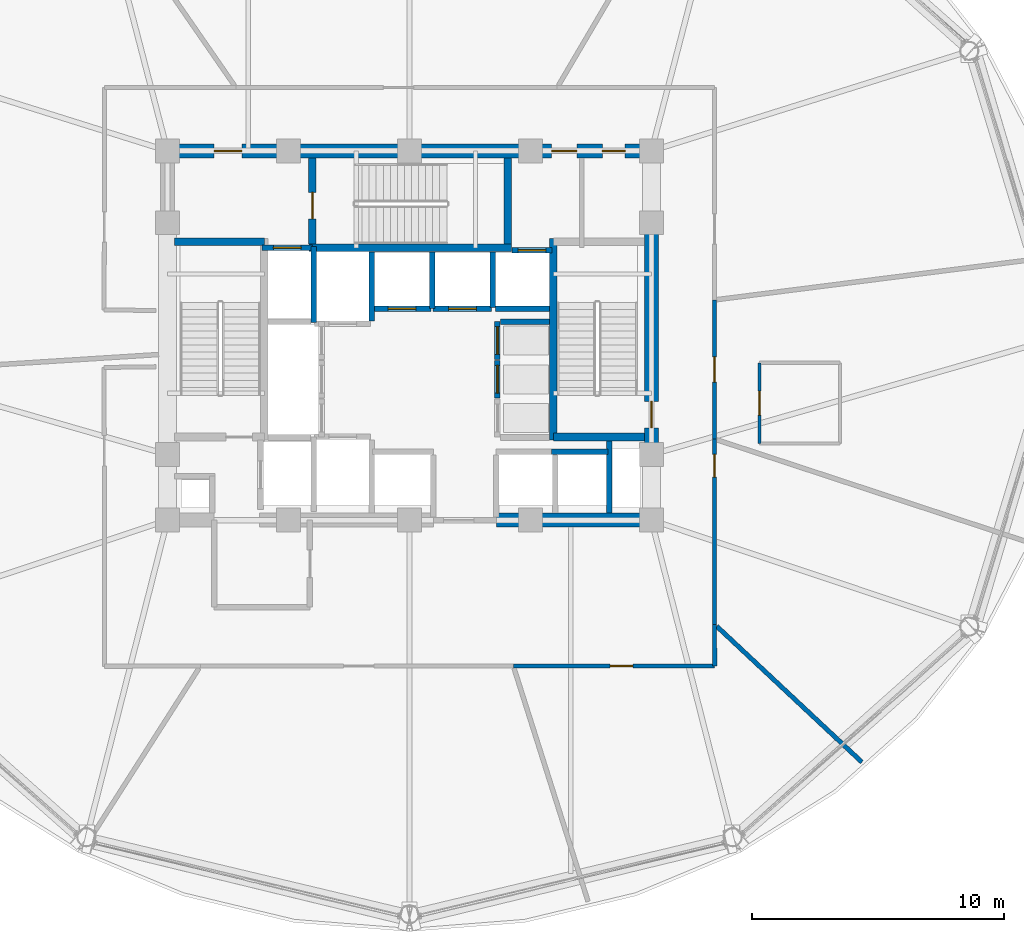
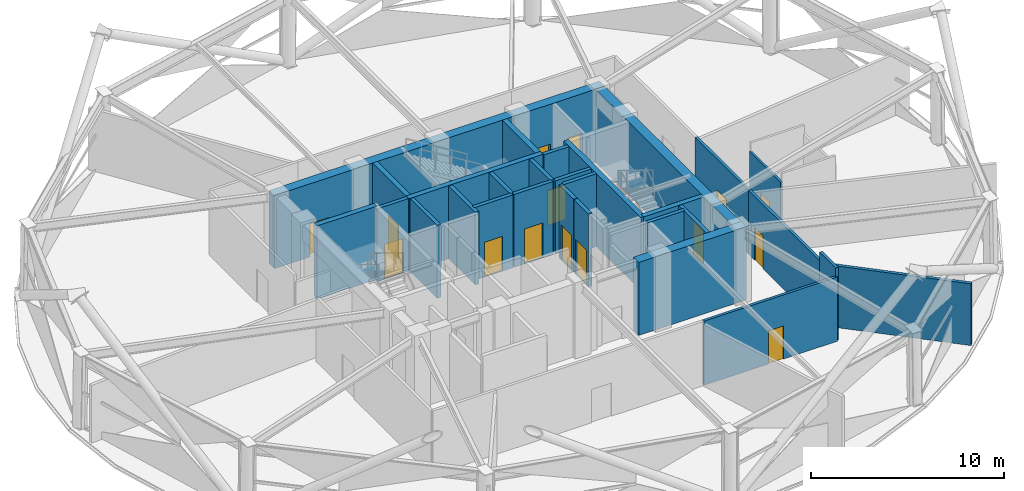
# One storey, part 11 of 17: 29 walls, 15 doors, 15 openings.
"""IFC4 building model written with IfcOpenShell, lengths in metres."""

from ifc_helpers import new_model, si_unit, direction, frame, frame_2d, origin, place, context, subcontext, project, spatial, rectangle, extrude, material, layer, layer_set, type_object, element, fill, save


model = new_model("IFC4")

# Units and contexts
model_context = context("Model", 3, precision=1e-05, world=origin(), true_north=direction((0.0, 1.0)))
body_context = subcontext(model_context, "Body", "Model", "MODEL_VIEW")
ifc_project = project(units=[si_unit("LENGTHUNIT", "METRE"), si_unit("AREAUNIT", "SQUARE_METRE"), si_unit("VOLUMEUNIT", "CUBIC_METRE"), si_unit("PLANEANGLEUNIT", "RADIAN"), si_unit("MASSUNIT", "GRAM", prefix="KILO")], contexts=[model_context])

# Site, building, storey
site_placement = place(None, origin())
site = spatial("IfcSite", under=ifc_project, at=site_placement, CompositionType="ELEMENT")
building_placement = place(site_placement, origin())
building = spatial("IfcBuilding", under=site, at=building_placement, Name="Vantalir Tower", CompositionType="ELEMENT")
storey_placement = place(building_placement, frame((0.0, 0.0, 96.14990234375)))
storey = spatial("IfcBuildingStorey", under=building, at=storey_placement, Name="L23", CompositionType="ELEMENT", Elevation=96.14990234375)

# Wall, opening, door
ifc_material_1 = material(Name="Moisture-resistant en-suite partition", Category="gypsum")
ifc_layer_1 = layer(ifc_material_1, 0.125)
ifc_layer_set_1 = layer_set([ifc_layer_1], Name="Moisture-resistant en-suite partition")
wall_type_1 = type_object("IfcWallType", Name="WL-BATH-125", PredefinedType="PARTITIONING", material=ifc_layer_set_1)
wall_1_placement = place(storey_placement, frame((45.383056640625, 20.843017578125, 0.0), z_axis=(0.0, 0.0, 1.0), x_axis=(0.0, 1.0, 0.0)))
wall_1 = element("IfcWall", 1, at=wall_1_placement, inside=storey, type_object=wall_type_1, Name="L23 Accessible WC West Wall", PredefinedType="PARTITIONING", context=body_context, shape_type="SweptSolid", body=[
    extrude(rectangle(XDim=3.199951171875, YDim=0.125, at=frame_2d((1.60009765625, 0.0))), origin(), (0.0, 0.0, 1.0), 4.05615234375),
])
opening_1_placement = place(wall_1_placement, frame((1.125, 0.0, 0.0)))
opening_1 = element("IfcOpeningElement", 2, at=opening_1_placement, cuts=wall_1, Name="Opening D-AWC", PredefinedType="OPENING", context=body_context, shape_type="SweptSolid", body=[
    extrude(rectangle(XDim=0.949951171875, YDim=2.10009765625, at=frame_2d((0.47509765625, 1.050048828125))), frame((0.0, 0.072509765625, 0.0), z_axis=(0.0, -1.0, 0.0), x_axis=(1.0, 0.0, 0.0)), (0.0, 0.0, 1.0), 0.14501953125),
])
ifc_material_2 = material(Name="Accessible toilet outward-opening hardwood door", Category="wood")
door_type_1 = type_object("IfcDoorType", Name="DR-ACC-WC-950", OperationType="NOTDEFINED", PredefinedType="DOOR", material=ifc_material_2)
door_1_placement = place(opening_1_placement, origin())
door_1 = element("IfcDoor", 3, at=door_1_placement, inside=storey, type_object=door_type_1, Name="L23 Accessible WC Door", OperationType="SINGLE_SWING_RIGHT", OverallHeight=2.10009765625, OverallWidth=0.949951171875, PredefinedType="DOOR", context=body_context, shape_type="SweptSolid", body=[
    extrude(rectangle(XDim=0.949951171875, YDim=2.10009765625, at=frame_2d((0.47509765625, 1.050048828125))), frame((0.0, 0.02490234375, 0.0), z_axis=(0.0, -1.0, 0.0), x_axis=(1.0, 0.0, 0.0)), (0.0, 0.0, 1.0), 0.050048828125),
])
fill(opening_1, door_1)

# Wall
ifc_material_3 = material(Name="Concrete C60/75", Category="concrete")
ifc_layer_2 = layer(ifc_material_3, 0.550048828125)
ifc_layer_set_2 = layer_set([ifc_layer_2], Name="Concrete C60/75")
wall_type_2 = type_object("IfcWallType", Name="WL-CORE-550", PredefinedType="SHEAR", material=ifc_layer_set_2)
wall_2_placement = place(storey_placement, frame((34.949951171875, 17.800048828125, 0.0), z_axis=(0.0, 0.0, 1.0), x_axis=(1.0, 0.0, 0.0)))
element("IfcWall", 4, at=wall_2_placement, inside=storey, type_object=wall_type_2, Name="L23 Core Shear Wall South-East", PredefinedType="SHEAR", context=body_context, shape_type="SweptSolid", body=[
    extrude(rectangle(XDim=6.425048828125, YDim=0.550048828125, at=frame_2d((3.21240234375, 0.0))), origin(), (0.0, 0.0, 1.0), 4.6201171875),
])

# Wall, openings, doors
wall_3_placement = place(storey_placement, frame((21.625, 32.449951171875, 0.0), z_axis=(0.0, 0.0, 1.0), x_axis=(1.0, 0.0, 0.0)))
wall_3 = element("IfcWall", 5, at=wall_3_placement, inside=storey, type_object=wall_type_2, Name="L23 Core Shear Wall North", PredefinedType="SHEAR", context=body_context, shape_type="SweptSolid", body=[
    extrude(rectangle(XDim=19.75, YDim=0.550048828125, at=frame_2d((9.875, 0.0))), origin(), (0.0, 0.0, 1.0), 4.6201171875),
])
opening_2_placement = place(wall_3_placement, frame((2.125, 0.0, 0.0)))
opening_2 = element("IfcOpeningElement", 6, at=opening_2_placement, cuts=wall_3, Name="Opening D-FFL", PredefinedType="OPENING", context=body_context, shape_type="SweptSolid", body=[
    extrude(rectangle(XDim=1.10009765625, YDim=2.10009765625, at=frame_2d((0.550048828125, 1.050048828125))), frame((0.0, 0.284912109375, 0.0), z_axis=(0.0, -1.0, 0.0), x_axis=(1.0, 0.0, 0.0)), (0.0, 0.0, 1.0), 0.570068359375),
])
opening_3_placement = place(wall_3_placement, frame((15.514892578125, 0.0, 0.0)))
opening_3 = element("IfcOpeningElement", 7, at=opening_3_placement, cuts=wall_3, Name="Opening D-GUEST", PredefinedType="OPENING", context=body_context, shape_type="SweptSolid", body=[
    extrude(rectangle(XDim=1.0, YDim=2.10009765625, at=frame_2d((0.5, 1.050048828125))), frame((0.0, 0.284912109375, 0.0), z_axis=(0.0, -1.0, 0.0), x_axis=(1.0, 0.0, 0.0)), (0.0, 0.0, 1.0), 0.570068359375),
])
opening_4_placement = place(wall_3_placement, frame((17.52490234375, 0.0, 0.0)))
opening_4 = element("IfcOpeningElement", 8, at=opening_4_placement, cuts=wall_3, Name="Opening D-CR", PredefinedType="OPENING", context=body_context, shape_type="SweptSolid", body=[
    extrude(rectangle(XDim=0.89990234375, YDim=2.10009765625, at=frame_2d((0.449951171875, 1.050048828125))), frame((0.0, 0.284912109375, 0.0), z_axis=(0.0, -1.0, 0.0), x_axis=(1.0, 0.0, 0.0)), (0.0, 0.0, 1.0), 0.570068359375),
])
ifc_material_4 = material(Name="Fire-rated steel core service door", Category="steel")
door_type_2 = type_object("IfcDoorType", Name="DR-CORE-SERV-900", OperationType="NOTDEFINED", PredefinedType="DOOR", material=ifc_material_4)
door_2_placement = place(opening_4_placement, frame((0.89990234375, 0.0, 0.0), z_axis=(0.0, 0.0, 1.0), x_axis=(-1.0, 0.0, 0.0)))
door_2 = element("IfcDoor", 9, at=door_2_placement, inside=storey, type_object=door_type_2, Name="L23 Housekeeping and Linen Room Door", OperationType="SINGLE_SWING_RIGHT", OverallHeight=2.10009765625, OverallWidth=0.89990234375, PredefinedType="DOOR", context=body_context, shape_type="SweptSolid", body=[
    extrude(rectangle(XDim=0.89990234375, YDim=2.10009765625, at=frame_2d((0.449951171875, 1.050048828125))), frame((0.0, 0.02490234375, 0.0), z_axis=(0.0, -1.0, 0.0), x_axis=(1.0, 0.0, 0.0)), (0.0, 0.0, 1.0), 0.050048828125),
])
fill(opening_4, door_2)
ifc_material_5 = material(Name="Fire-rated acoustic steel door", Category="steel")
door_type_3 = type_object("IfcDoorType", Name="DR-FIRE-LOBBY-1100", OperationType="NOTDEFINED", PredefinedType="DOOR", material=ifc_material_5)
door_3_placement = place(opening_2_placement, frame((1.10009765625, 0.0, 0.0), z_axis=(0.0, 0.0, 1.0), x_axis=(-1.0, 0.0, 0.0)))
door_3 = element("IfcDoor", 10, at=door_3_placement, inside=storey, type_object=door_type_3, Name="L23 Firefighting Lobby East Access Door", OperationType="SINGLE_SWING_LEFT", OverallHeight=2.10009765625, OverallWidth=1.10009765625, PredefinedType="DOOR", context=body_context, shape_type="SweptSolid", body=[
    extrude(rectangle(XDim=1.10009765625, YDim=2.10009765625, at=frame_2d((0.550048828125, 1.050048828125))), frame((0.0, 0.02490234375, 0.0), z_axis=(0.0, -1.0, 0.0), x_axis=(1.0, 0.0, 0.0)), (0.0, 0.0, 1.0), 0.050048828125),
])
fill(opening_2, door_3)
ifc_material_6 = material(Name="Solid-core teak veneer acoustic fire door", Category="wood")
door_type_4 = type_object("IfcDoorType", Name="DR-GUEST-ENTRY-1000", OperationType="NOTDEFINED", PredefinedType="DOOR", material=ifc_material_6)
door_4_placement = place(opening_3_placement, frame((1.0, 0.0, 0.0), z_axis=(0.0, 0.0, 1.0), x_axis=(-1.0, 0.0, 0.0)))
door_4 = element("IfcDoor", 11, at=door_4_placement, inside=storey, type_object=door_type_4, Name="L23 High-Rise Lift Lobby Door", OperationType="SINGLE_SWING_LEFT", OverallHeight=2.10009765625, OverallWidth=1.0, PredefinedType="DOOR", context=body_context, shape_type="SweptSolid", body=[
    extrude(rectangle(XDim=1.0, YDim=2.10009765625, at=frame_2d((0.5, 1.050048828125))), frame((0.0, 0.02490234375, 0.0), z_axis=(0.0, -1.0, 0.0), x_axis=(1.0, 0.0, 0.0)), (0.0, 0.0, 1.0), 0.050048828125),
])
fill(opening_3, door_4)

# Wall, opening, door
wall_4_placement = place(storey_placement, frame((41.10009765625, 18.074951171875, 0.0), z_axis=(0.0, 0.0, 1.0), x_axis=(0.0, 1.0, 0.0)))
wall_4 = element("IfcWall", 12, at=wall_4_placement, inside=storey, type_object=wall_type_2, Name="L23 Core Shear Wall East", PredefinedType="SHEAR", context=body_context, shape_type="SweptSolid", body=[
    extrude(rectangle(XDim=14.10009765625, YDim=0.550048828125, at=frame_2d((7.050048828125, 0.0))), origin(), (0.0, 0.0, 1.0), 4.6201171875),
])
opening_5_placement = place(wall_4_placement, frame((3.385009765625, 0.0, 0.0)))
opening_5 = element("IfcOpeningElement", 13, at=opening_5_placement, cuts=wall_4, Name="Opening D-ST", PredefinedType="OPENING", context=body_context, shape_type="SweptSolid", body=[
    extrude(rectangle(XDim=1.050048828125, YDim=2.10009765625, at=frame_2d((0.52490234375, 1.050048828125))), frame((0.0, 0.284912109375, 0.0), z_axis=(0.0, -1.0, 0.0), x_axis=(1.0, 0.0, 0.0)), (0.0, 0.0, 1.0), 0.570068359375),
])
ifc_material_7 = material(Name="Fire-rated steel door leaf", Category="steel")
door_type_5 = type_object("IfcDoorType", Name="DR-FIRE-STAIR-1050", OperationType="NOTDEFINED", PredefinedType="DOOR", material=ifc_material_7)
door_5_placement = place(opening_5_placement, origin())
door_5 = element("IfcDoor", 14, at=door_5_placement, inside=storey, type_object=door_type_5, Name="L23 Exit Stair ST2 Fire Door", OperationType="SINGLE_SWING_LEFT", OverallHeight=2.10009765625, OverallWidth=1.050048828125, PredefinedType="DOOR", context=body_context, shape_type="SweptSolid", body=[
    extrude(rectangle(XDim=1.050048828125, YDim=2.10009765625, at=frame_2d((0.52490234375, 1.050048828125))), frame((0.0, 0.02490234375, 0.0), z_axis=(0.0, -1.0, 0.0), x_axis=(1.0, 0.0, 0.0)), (0.0, 0.0, 1.0), 0.050048828125),
])
fill(opening_5, door_5)

ifc_material_8 = material(Name="Fire-rated hotel corridor acoustic partition", Category="gypsum")
ifc_layer_3 = layer(ifc_material_8, 0.159912109375)
ifc_layer_set_3 = layer_set([ifc_layer_3], Name="Fire-rated hotel corridor acoustic partition")
wall_type_3 = type_object("IfcWallType", Name="WL-CORR-160", PredefinedType="PARTITIONING", material=ifc_layer_set_3)
wall_5_placement = place(storey_placement, frame((43.60009765625, 26.537109375, 0.0), z_axis=(0.0, 0.0, 1.0), x_axis=(0.000707776519, -0.999999749526, 0.0)))
wall_5 = element("IfcWall", 15, at=wall_5_placement, inside=storey, type_object=wall_type_3, Name="L23 Corridor Partition 07", PredefinedType="PARTITIONING", context=body_context, shape_type="SweptSolid", body=[
    extrude(rectangle(XDim=5.51904296875, YDim=0.159912109375, at=frame_2d((2.759521484375, 0.0))), origin(), (0.0, 0.0, 1.0), 4.05615234375),
])
opening_6_placement = place(wall_5_placement, frame((2.260009765625, 0.0, 0.0)))
opening_6 = element("IfcOpeningElement", 16, at=opening_6_placement, cuts=wall_5, Name="Opening D-GUEST", PredefinedType="OPENING", context=body_context, shape_type="SweptSolid", body=[
    extrude(rectangle(XDim=1.0, YDim=2.10009765625, at=frame_2d((0.5, 1.050048828125))), frame((0.0, 0.08984375, 0.0), z_axis=(0.0, -1.0, 0.0), x_axis=(1.0, 0.0, 0.0)), (0.0, 0.0, 1.0), 0.179931640625),
])
door_6_placement = place(opening_6_placement, origin())
door_6 = element("IfcDoor", 17, at=door_6_placement, inside=storey, type_object=door_type_4, Name="L23 Sanitary Vestibule Door", OperationType="SINGLE_SWING_LEFT", OverallHeight=2.10009765625, OverallWidth=1.0, PredefinedType="DOOR", context=body_context, shape_type="SweptSolid", body=[
    extrude(rectangle(XDim=1.0, YDim=2.10009765625, at=frame_2d((0.5, 1.050048828125))), frame((0.0, 0.02490234375, 0.0), z_axis=(0.0, -1.0, 0.0), x_axis=(1.0, 0.0, 0.0)), (0.0, 0.0, 1.0), 0.050048828125),
])
fill(opening_6, door_6)

wall_6_placement = place(storey_placement, frame((43.60400390625, 21.01806640625, 0.0), z_axis=(0.0, 0.0, 1.0), x_axis=(0.000664142777, -0.999999779457, 0.0)))
wall_6 = element("IfcWall", 18, at=wall_6_placement, inside=storey, type_object=wall_type_3, Name="L23 Corridor Partition 08", PredefinedType="PARTITIONING", context=body_context, shape_type="SweptSolid", body=[
    extrude(rectangle(XDim=7.35205078125, YDim=0.159912109375, at=frame_2d((3.676025390625, 0.0))), origin(), (0.0, 0.0, 1.0), 4.05615234375),
])
opening_7_placement = place(wall_6_placement, frame((0.60888671875, 0.0, 0.0)))
opening_7 = element("IfcOpeningElement", 19, at=opening_7_placement, cuts=wall_6, Name="Opening D-WC", PredefinedType="OPENING", context=body_context, shape_type="SweptSolid", body=[
    extrude(rectangle(XDim=0.89990234375, YDim=2.10009765625, at=frame_2d((0.449951171875, 1.050048828125))), frame((0.0, 0.08984375, 0.0), z_axis=(0.0, -1.0, 0.0), x_axis=(1.0, 0.0, 0.0)), (0.0, 0.0, 1.0), 0.179931640625),
])
ifc_material_9 = material(Name="Moisture-resistant hardwood door", Category="wood")
door_type_6 = type_object("IfcDoorType", Name="DR-ENSUITE-900", OperationType="NOTDEFINED", PredefinedType="DOOR", material=ifc_material_9)
door_7_placement = place(opening_7_placement, origin())
door_7 = element("IfcDoor", 20, at=door_7_placement, inside=storey, type_object=door_type_6, Name="L23 Public Female WC Door", OperationType="SINGLE_SWING_RIGHT", OverallHeight=2.10009765625, OverallWidth=0.89990234375, PredefinedType="DOOR", context=body_context, shape_type="SweptSolid", body=[
    extrude(rectangle(XDim=0.89990234375, YDim=2.10009765625, at=frame_2d((0.449951171875, 1.050048828125))), frame((0.0, 0.02490234375, 0.0), z_axis=(0.0, -1.0, 0.0), x_axis=(1.0, 0.0, 0.0)), (0.0, 0.0, 1.0), 0.050048828125),
])
fill(opening_7, door_7)

# Wall
wall_7_placement = place(storey_placement, frame((43.60888671875, 13.666015625, 0.0), z_axis=(0.0, 0.0, 1.0), x_axis=(0.000742059754, -0.999999724674, 0.0)))
element("IfcWall", 21, at=wall_7_placement, inside=storey, type_object=wall_type_3, Name="L23 Corridor Partition 09", PredefinedType="PARTITIONING", context=body_context, shape_type="SweptSolid", body=[
    extrude(rectangle(XDim=1.64501953125, YDim=0.159912109375, at=frame_2d((0.822509765625, 0.0))), origin(), (0.0, 0.0, 1.0), 4.60009765625),
])

# Wall, opening, door
wall_8_placement = place(storey_placement, frame((43.610107421875, 12.02099609375, 0.0), z_axis=(0.0, 0.0, 1.0), x_axis=(-0.999999813326, -0.000611022738, 0.0)))
wall_8 = element("IfcWall", 22, at=wall_8_placement, inside=storey, type_object=wall_type_3, Name="L23 Corridor Partition 10", PredefinedType="PARTITIONING", context=body_context, shape_type="SweptSolid", body=[
    extrude(rectangle(XDim=7.9912109375, YDim=0.159912109375, at=frame_2d((3.99560546875, 0.0))), origin(), (0.0, 0.0, 1.0), 4.05615234375),
])
opening_8_placement = place(wall_8_placement, frame((3.2509765625, 0.0, 0.0)))
opening_8 = element("IfcOpeningElement", 23, at=opening_8_placement, cuts=wall_8, Name="Opening D-WC", PredefinedType="OPENING", context=body_context, shape_type="SweptSolid", body=[
    extrude(rectangle(XDim=0.89990234375, YDim=2.10009765625, at=frame_2d((0.449951171875, 1.050048828125))), frame((0.0, 0.08984375, 0.0), z_axis=(0.0, -1.0, 0.0), x_axis=(1.0, 0.0, 0.0)), (0.0, 0.0, 1.0), 0.179931640625),
])
door_8_placement = place(opening_8_placement, origin())
door_8 = element("IfcDoor", 24, at=door_8_placement, inside=storey, type_object=door_type_6, Name="L23 Public Male WC Door", OperationType="SINGLE_SWING_LEFT", OverallHeight=2.10009765625, OverallWidth=0.89990234375, PredefinedType="DOOR", context=body_context, shape_type="SweptSolid", body=[
    extrude(rectangle(XDim=0.89990234375, YDim=2.10009765625, at=frame_2d((0.449951171875, 1.050048828125))), frame((0.0, 0.02490234375, 0.0), z_axis=(0.0, -1.0, 0.0), x_axis=(1.0, 0.0, 0.0)), (0.0, 0.0, 1.0), 0.050048828125),
])
fill(opening_8, door_8)

# Walls
ifc_material_10 = material(Name="Concrete blockwork with fireboard lining", Category="masonry")
ifc_layer_4 = layer(ifc_material_10, 0.219970703125)
ifc_layer_set_4 = layer_set([ifc_layer_4], Name="Concrete blockwork with fireboard lining")
wall_type_4 = type_object("IfcWallType", Name="WL-FFL-220", PredefinedType="PARTITIONING", material=ifc_layer_set_4)
wall_9_placement = place(storey_placement, frame((30.0, 25.7099609375, 0.0), z_axis=(0.0, 0.0, 1.0), x_axis=(0.0, 1.0, 0.0)))
element("IfcWall", 25, at=wall_9_placement, inside=storey, type_object=wall_type_4, Name="L23 Service Lift SV2 East Shaft Wall", PredefinedType="PARTITIONING", context=body_context, shape_type="SweptSolid", body=[
    extrude(rectangle(XDim=2.72998046875, YDim=0.219970703125, at=frame_2d((1.364990234375, 0.0))), origin(), (0.0, 0.0, 1.0), 4.59521484375),
])
wall_10_placement = place(storey_placement, frame((32.39990234375, 26.199951171875, 0.0), z_axis=(0.0, 0.0, 1.0), x_axis=(0.0, 1.0, 0.0)))
element("IfcWall", 26, at=wall_10_placement, inside=storey, type_object=wall_type_4, Name="L23 High-Rise Lift PL-H1/H2 Shaft Divider", PredefinedType="PARTITIONING", context=body_context, shape_type="SweptSolid", body=[
    extrude(rectangle(XDim=2.239990234375, YDim=0.219970703125, at=frame_2d((1.1201171875, 0.0))), origin(), (0.0, 0.0, 1.0), 4.59521484375),
])
wall_11_placement = place(storey_placement, frame((34.800048828125, 26.22998046875, 0.0), z_axis=(0.0, 0.0, 1.0), x_axis=(0.0, 1.0, 0.0)))
element("IfcWall", 27, at=wall_11_placement, inside=storey, type_object=wall_type_4, Name="L23 High-Rise Lift PL-H2/H3 Shaft Divider", PredefinedType="PARTITIONING", context=body_context, shape_type="SweptSolid", body=[
    extrude(rectangle(XDim=2.2099609375, YDim=0.219970703125, at=frame_2d((1.10498046875, 0.0))), origin(), (0.0, 0.0, 1.0), 4.59521484375),
])
wall_12_placement = place(storey_placement, frame((34.909912109375, 26.18994140625, 0.0), z_axis=(0.0, 0.0, 1.0), x_axis=(1.0, 0.0, 0.0)))
element("IfcWall", 28, at=wall_12_placement, inside=storey, type_object=wall_type_4, Name="L23 High-Rise Lift PL-H3 Rear Shaft Wall", PredefinedType="PARTITIONING", context=body_context, shape_type="SweptSolid", body=[
    extrude(rectangle(XDim=2.14013671875, YDim=0.219970703125, at=frame_2d((1.070068359375, 0.0))), origin(), (0.0, 0.0, 1.0), 4.59521484375),
])
wall_13_placement = place(storey_placement, frame((39.419921875, 18.074951171875, 0.0), z_axis=(0.0, 0.0, 1.0), x_axis=(0.0, 1.0, 0.0)))
element("IfcWall", 29, at=wall_13_placement, inside=storey, type_object=wall_type_4, Name="L23 East MEP Riser Wall W", PredefinedType="PARTITIONING", context=body_context, shape_type="SweptSolid", body=[
    extrude(rectangle(XDim=2.875, YDim=0.219970703125, at=frame_2d((1.4375, 0.0))), origin(), (0.0, 0.0, 1.0), 4.60009765625),
])

# Wall, opening, door
wall_14_placement = place(storey_placement, frame((25.639892578125, 28.610107421875, 0.0), z_axis=(0.0, 0.0, 1.0), x_axis=(1.0, 0.0, 0.0)))
wall_14 = element("IfcWall", 30, at=wall_14_placement, inside=storey, type_object=wall_type_4, Name="L23 Lift FL2 Shaft Front Wall", PredefinedType="PARTITIONING", context=body_context, shape_type="SweptSolid", body=[
    extrude(rectangle(XDim=2.02001953125, YDim=0.219970703125, at=frame_2d((1.010009765625, 0.0))), origin(), (0.0, 0.0, 1.0), 4.60009765625),
])
opening_9_placement = place(wall_14_placement, frame((0.4599609375, 0.0, 0.0)))
opening_9 = element("IfcOpeningElement", 31, at=opening_9_placement, cuts=wall_14, Name="Opening LD-FL2", PredefinedType="OPENING", context=body_context, shape_type="SweptSolid", body=[
    extrude(rectangle(XDim=1.10009765625, YDim=2.199951171875, at=frame_2d((0.550048828125, 1.10009765625))), frame((0.0, 0.119873046875, 0.0), z_axis=(0.0, -1.0, 0.0), x_axis=(1.0, 0.0, 0.0)), (0.0, 0.0, 1.0), 0.239990234375),
])
ifc_material_11 = material(Name="Brushed stainless-steel sliding lift landing door", Category="steel")
door_type_7 = type_object("IfcDoorType", Name="DR-LIFT-LANDING-1100", OperationType="DOUBLE_DOOR_SLIDING", PredefinedType="DOOR", material=ifc_material_11)
door_9_placement = place(opening_9_placement, origin())
door_9 = element("IfcDoor", 32, at=door_9_placement, inside=storey, type_object=door_type_7, Name="L23 Lift Landing Door FL2", OperationType="DOUBLE_DOOR_SLIDING", OverallHeight=2.199951171875, OverallWidth=1.10009765625, PredefinedType="DOOR", context=body_context, shape_type="SweptSolid", body=[
    extrude(rectangle(XDim=1.10009765625, YDim=2.199951171875, at=frame_2d((0.550048828125, 1.10009765625))), frame((0.0, 0.02490234375, 0.0), z_axis=(0.0, -1.0, 0.0), x_axis=(1.0, 0.0, 0.0)), (0.0, 0.0, 1.0), 0.050048828125),
])
fill(opening_9, door_9)

# Wall
wall_15_placement = place(storey_placement, frame((37.139892578125, 20.510009765625, 0.0), z_axis=(0.0, 0.0, 1.0), x_axis=(1.0, 0.0, 0.0)))
element("IfcWall", 33, at=wall_15_placement, inside=storey, type_object=wall_type_4, Name="L23 Lift PL-X2 Shaft Rear Wall", PredefinedType="PARTITIONING", context=body_context, shape_type="SweptSolid", body=[
    extrude(rectangle(XDim=2.239990234375, YDim=0.219970703125, at=frame_2d((1.1201171875, 0.0))), origin(), (0.0, 0.0, 1.0), 4.60009765625),
])

# Wall, opening, door
wall_16_placement = place(storey_placement, frame((30.0400390625, 26.18994140625, 0.0), z_axis=(0.0, 0.0, 1.0), x_axis=(1.0, 0.0, 0.0)))
wall_16 = element("IfcWall", 34, at=wall_16_placement, inside=storey, type_object=wall_type_4, Name="L23 Lift PL-H1 Shaft Front Wall", PredefinedType="PARTITIONING", context=body_context, shape_type="SweptSolid", body=[
    extrude(rectangle(XDim=2.320068359375, YDim=0.219970703125, at=frame_2d((1.16015625, 0.0))), origin(), (0.0, 0.0, 1.0), 4.60009765625),
])
opening_10_placement = place(wall_16_placement, frame((0.610107421875, 0.0, 0.0)))
opening_10 = element("IfcOpeningElement", 35, at=opening_10_placement, cuts=wall_16, Name="Opening LD-PL-H1", PredefinedType="OPENING", context=body_context, shape_type="SweptSolid", body=[
    extrude(rectangle(XDim=1.10009765625, YDim=2.199951171875, at=frame_2d((0.550048828125, 1.10009765625))), frame((0.0, 0.119873046875, 0.0), z_axis=(0.0, -1.0, 0.0), x_axis=(1.0, 0.0, 0.0)), (0.0, 0.0, 1.0), 0.239990234375),
])
door_10_placement = place(opening_10_placement, frame((1.10009765625, 0.0, 0.0), z_axis=(0.0, 0.0, 1.0), x_axis=(-1.0, 0.0, 0.0)))
door_10 = element("IfcDoor", 36, at=door_10_placement, inside=storey, type_object=door_type_7, Name="L23 Lift Landing Door PL-H1", OperationType="DOUBLE_DOOR_SLIDING", OverallHeight=2.199951171875, OverallWidth=1.10009765625, PredefinedType="DOOR", context=body_context, shape_type="SweptSolid", body=[
    extrude(rectangle(XDim=1.10009765625, YDim=2.199951171875, at=frame_2d((0.550048828125, 1.10009765625))), frame((0.0, 0.02490234375, 0.0), z_axis=(0.0, -1.0, 0.0), x_axis=(1.0, 0.0, 0.0)), (0.0, 0.0, 1.0), 0.050048828125),
])
fill(opening_10, door_10)

wall_17_placement = place(storey_placement, frame((32.43994140625, 26.18994140625, 0.0), z_axis=(0.0, 0.0, 1.0), x_axis=(1.0, 0.0, 0.0)))
wall_17 = element("IfcWall", 37, at=wall_17_placement, inside=storey, type_object=wall_type_4, Name="L23 Lift PL-H2 Shaft Front Wall", PredefinedType="PARTITIONING", context=body_context, shape_type="SweptSolid", body=[
    extrude(rectangle(XDim=2.320068359375, YDim=0.219970703125, at=frame_2d((1.16015625, 0.0))), origin(), (0.0, 0.0, 1.0), 4.60009765625),
])
opening_11_placement = place(wall_17_placement, frame((0.610107421875, 0.0, 0.0)))
opening_11 = element("IfcOpeningElement", 38, at=opening_11_placement, cuts=wall_17, Name="Opening LD-PL-H2", PredefinedType="OPENING", context=body_context, shape_type="SweptSolid", body=[
    extrude(rectangle(XDim=1.10009765625, YDim=2.199951171875, at=frame_2d((0.550048828125, 1.10009765625))), frame((0.0, 0.119873046875, 0.0), z_axis=(0.0, -1.0, 0.0), x_axis=(1.0, 0.0, 0.0)), (0.0, 0.0, 1.0), 0.239990234375),
])
door_11_placement = place(opening_11_placement, frame((1.10009765625, 0.0, 0.0), z_axis=(0.0, 0.0, 1.0), x_axis=(-1.0, 0.0, 0.0)))
door_11 = element("IfcDoor", 39, at=door_11_placement, inside=storey, type_object=door_type_7, Name="L23 Lift Landing Door PL-H2", OperationType="DOUBLE_DOOR_SLIDING", OverallHeight=2.199951171875, OverallWidth=1.10009765625, PredefinedType="DOOR", context=body_context, shape_type="SweptSolid", body=[
    extrude(rectangle(XDim=1.10009765625, YDim=2.199951171875, at=frame_2d((0.550048828125, 1.10009765625))), frame((0.0, 0.02490234375, 0.0), z_axis=(0.0, -1.0, 0.0), x_axis=(1.0, 0.0, 0.0)), (0.0, 0.0, 1.0), 0.050048828125),
])
fill(opening_11, door_11)

wall_18_placement = place(storey_placement, frame((35.56005859375, 28.510009765625, 0.0), z_axis=(0.0, 0.0, 1.0), x_axis=(1.0, 0.0, 0.0)))
wall_18 = element("IfcWall", 40, at=wall_18_placement, inside=storey, type_object=wall_type_4, Name="L23 Lift PL-H3 Shaft Front Wall", PredefinedType="PARTITIONING", context=body_context, shape_type="SweptSolid", body=[
    extrude(rectangle(XDim=1.599853515625, YDim=0.219970703125, at=frame_2d((0.7998046875, 0.0))), origin(), (0.0, 0.0, 1.0), 4.60009765625),
])
opening_12_placement = place(wall_18_placement, frame((0.25, 0.0, 0.0)))
opening_12 = element("IfcOpeningElement", 41, at=opening_12_placement, cuts=wall_18, Name="Opening LD-PL-H3", PredefinedType="OPENING", context=body_context, shape_type="SweptSolid", body=[
    extrude(rectangle(XDim=1.10009765625, YDim=2.199951171875, at=frame_2d((0.550048828125, 1.10009765625))), frame((0.0, 0.119873046875, 0.0), z_axis=(0.0, -1.0, 0.0), x_axis=(1.0, 0.0, 0.0)), (0.0, 0.0, 1.0), 0.239990234375),
])
door_12_placement = place(opening_12_placement, origin())
door_12 = element("IfcDoor", 42, at=door_12_placement, inside=storey, type_object=door_type_7, Name="L23 Lift Landing Door PL-H3", OperationType="DOUBLE_DOOR_SLIDING", OverallHeight=2.199951171875, OverallWidth=1.10009765625, PredefinedType="DOOR", context=body_context, shape_type="SweptSolid", body=[
    extrude(rectangle(XDim=1.10009765625, YDim=2.199951171875, at=frame_2d((0.550048828125, 1.10009765625))), frame((0.0, 0.02490234375, 0.0), z_axis=(0.0, -1.0, 0.0), x_axis=(1.0, 0.0, 0.0)), (0.0, 0.0, 1.0), 0.050048828125),
])
fill(opening_12, door_12)

wall_19_placement = place(storey_placement, frame((34.989990234375, 22.639892578125, 0.0), z_axis=(0.0, 0.0, 1.0), x_axis=(0.0, 1.0, 0.0)))
wall_19 = element("IfcWall", 43, at=wall_19_placement, inside=storey, type_object=wall_type_4, Name="L23 Lift PL-M2 Shaft Front Wall", PredefinedType="PARTITIONING", context=body_context, shape_type="SweptSolid", body=[
    extrude(rectangle(XDim=1.5, YDim=0.219970703125, at=frame_2d((0.75, 0.0))), origin(), (0.0, 0.0, 1.0), 4.60009765625),
])
opening_13_placement = place(wall_19_placement, frame((0.199951171875, 0.0, 0.0)))
opening_13 = element("IfcOpeningElement", 44, at=opening_13_placement, cuts=wall_19, Name="Opening LD-PL-M2", PredefinedType="OPENING", context=body_context, shape_type="SweptSolid", body=[
    extrude(rectangle(XDim=1.10009765625, YDim=2.199951171875, at=frame_2d((0.550048828125, 1.10009765625))), frame((0.0, 0.119873046875, 0.0), z_axis=(0.0, -1.0, 0.0), x_axis=(1.0, 0.0, 0.0)), (0.0, 0.0, 1.0), 0.239990234375),
])
door_13_placement = place(opening_13_placement, origin())
door_13 = element("IfcDoor", 45, at=door_13_placement, inside=storey, type_object=door_type_7, Name="L23 Lift Landing Door PL-M2", OperationType="DOUBLE_DOOR_SLIDING", OverallHeight=2.199951171875, OverallWidth=1.10009765625, PredefinedType="DOOR", context=body_context, shape_type="SweptSolid", body=[
    extrude(rectangle(XDim=1.10009765625, YDim=2.199951171875, at=frame_2d((0.550048828125, 1.10009765625))), frame((0.0, 0.02490234375, 0.0), z_axis=(0.0, -1.0, 0.0), x_axis=(1.0, 0.0, 0.0)), (0.0, 0.0, 1.0), 0.050048828125),
])
fill(opening_13, door_13)

wall_20_placement = place(storey_placement, frame((34.989990234375, 24.179931640625, 0.0), z_axis=(0.0, 0.0, 1.0), x_axis=(0.0, 1.0, 0.0)))
wall_20 = element("IfcWall", 46, at=wall_20_placement, inside=storey, type_object=wall_type_4, Name="L23 Lift PL-M3 Shaft Front Wall", PredefinedType="PARTITIONING", context=body_context, shape_type="SweptSolid", body=[
    extrude(rectangle(XDim=1.5, YDim=0.219970703125, at=frame_2d((0.75, 0.0))), origin(), (0.0, 0.0, 1.0), 4.60009765625),
])
opening_14_placement = place(wall_20_placement, frame((0.199951171875, 0.0, 0.0)))
opening_14 = element("IfcOpeningElement", 47, at=opening_14_placement, cuts=wall_20, Name="Opening LD-PL-M3", PredefinedType="OPENING", context=body_context, shape_type="SweptSolid", body=[
    extrude(rectangle(XDim=1.10009765625, YDim=2.199951171875, at=frame_2d((0.550048828125, 1.10009765625))), frame((0.0, 0.119873046875, 0.0), z_axis=(0.0, -1.0, 0.0), x_axis=(1.0, 0.0, 0.0)), (0.0, 0.0, 1.0), 0.239990234375),
])
door_14_placement = place(opening_14_placement, origin())
door_14 = element("IfcDoor", 48, at=door_14_placement, inside=storey, type_object=door_type_7, Name="L23 Lift Landing Door PL-M3", OperationType="DOUBLE_DOOR_SLIDING", OverallHeight=2.199951171875, OverallWidth=1.10009765625, PredefinedType="DOOR", context=body_context, shape_type="SweptSolid", body=[
    extrude(rectangle(XDim=1.10009765625, YDim=2.199951171875, at=frame_2d((0.550048828125, 1.10009765625))), frame((0.0, 0.02490234375, 0.0), z_axis=(0.0, -1.0, 0.0), x_axis=(1.0, 0.0, 0.0)), (0.0, 0.0, 1.0), 0.050048828125),
])
fill(opening_14, door_14)

# Walls
wall_21_placement = place(storey_placement, frame((27.699951171875, 25.64990234375, 0.0), z_axis=(0.0, 0.0, 1.0), x_axis=(0.0, 1.0, 0.0)))
element("IfcWall", 49, at=wall_21_placement, inside=storey, type_object=wall_type_4, Name="L23 Fire Lift FL2 Dividing Wall", PredefinedType="PARTITIONING", context=body_context, shape_type="SweptSolid", body=[
    extrude(rectangle(XDim=3.0, YDim=0.219970703125, at=frame_2d((1.5, 0.0))), origin(), (0.0, 0.0, 1.0), 4.60009765625),
])
wall_22_placement = place(storey_placement, frame((35.1201171875, 25.679931640625, 0.0), z_axis=(0.0, 0.0, 1.0), x_axis=(1.0, 0.0, 0.0)))
element("IfcWall", 50, at=wall_22_placement, inside=storey, type_object=wall_type_4, Name="L23 Mid-Rise Bank North Wall", PredefinedType="PARTITIONING", context=body_context, shape_type="SweptSolid", body=[
    extrude(rectangle(XDim=1.93994140625, YDim=0.219970703125, at=frame_2d((0.969970703125, 0.0))), origin(), (0.0, 0.0, 1.0), 4.60009765625),
])
ifc_material_12 = material(Name="Twin-stud acoustic fire-rated gypsum partition", Category="gypsum")
ifc_layer_5 = layer(ifc_material_12, 0.179931640625)
ifc_layer_set_5 = layer_set([ifc_layer_5], Name="Twin-stud acoustic fire-rated gypsum partition")
wall_type_5 = type_object("IfcWallType", Name="WL-GUEST-180", PredefinedType="PARTITIONING", material=ifc_layer_set_5)
wall_23_placement = place(storey_placement, frame((43.68994140625, 13.590087890625, 0.0), z_axis=(0.0, 0.0, 1.0), x_axis=(0.730111446841, -0.683328087519, 0.0)))
element("IfcWall", 51, at=wall_23_placement, inside=storey, type_object=wall_type_5, Name="L23 Radial Suite Partition 07", PredefinedType="PARTITIONING", context=body_context, shape_type="SweptSolid", body=[
    extrude(rectangle(XDim=7.88525390625, YDim=0.179931640625, at=frame_2d((3.942626953125, 0.0))), origin(), (0.0, 0.0, 1.0), 3.901123046875),
])
ifc_material_13 = material(Name="Concrete C50/60", Category="concrete")
ifc_layer_6 = layer(ifc_material_13, 0.300048828125)
ifc_layer_set_6 = layer_set([ifc_layer_6], Name="Concrete C50/60")
wall_type_6 = type_object("IfcWallType", Name="WL-STAIR-300", PredefinedType="SHEAR", material=ifc_layer_set_6)
wall_24_placement = place(storey_placement, frame((22.175048828125, 28.85009765625, 0.0), z_axis=(0.0, 0.0, 1.0), x_axis=(1.0, 0.0, 0.0)))
element("IfcWall", 52, at=wall_24_placement, inside=storey, type_object=wall_type_6, Name="L23 Stair ST1 North Wall", PredefinedType="SHEAR", context=body_context, shape_type="SweptSolid", body=[
    extrude(rectangle(XDim=3.56494140625, YDim=0.300048828125, at=frame_2d((1.782470703125, 0.0))), origin(), (0.0, 0.0, 1.0), 4.6201171875),
])
wall_25_placement = place(storey_placement, frame((37.2099609375, 21.10009765625, 0.0), z_axis=(0.0, 0.0, 1.0), x_axis=(1.0, 0.0, 0.0)))
element("IfcWall", 53, at=wall_25_placement, inside=storey, type_object=wall_type_6, Name="L23 Stair ST2 South Wall", PredefinedType="SHEAR", context=body_context, shape_type="SweptSolid", body=[
    extrude(rectangle(XDim=3.614990234375, YDim=0.300048828125, at=frame_2d((1.8076171875, 0.0))), origin(), (0.0, 0.0, 1.0), 4.6201171875),
])
wall_26_placement = place(storey_placement, frame((37.2099609375, 20.97998046875, 0.0), z_axis=(0.0, 0.0, 1.0), x_axis=(0.0, 1.0, 0.0)))
element("IfcWall", 54, at=wall_26_placement, inside=storey, type_object=wall_type_6, Name="L23 Stair ST2 West Wall", PredefinedType="SHEAR", context=body_context, shape_type="SweptSolid", body=[
    extrude(rectangle(XDim=7.989990234375, YDim=0.300048828125, at=frame_2d((3.9951171875, 0.0))), origin(), (0.0, 0.0, 1.0), 4.6201171875),
])
wall_27_placement = place(storey_placement, frame((27.510009765625, 28.60009765625, 0.0), z_axis=(0.0, 0.0, 1.0), x_axis=(1.0, 0.0, 0.0)))
element("IfcWall", 55, at=wall_27_placement, inside=storey, type_object=wall_type_6, Name="L23 Stair ST3 South Wall", PredefinedType="SHEAR", context=body_context, shape_type="SweptSolid", body=[
    extrude(rectangle(XDim=8.030029296875, YDim=0.300048828125, at=frame_2d((4.01513671875, 0.0))), origin(), (0.0, 0.0, 1.0), 4.6201171875),
])

# Wall, opening, door
wall_28_placement = place(storey_placement, frame((27.64990234375, 28.75, 0.0), z_axis=(0.0, 0.0, 1.0), x_axis=(0.0, 1.0, 0.0)))
wall_28 = element("IfcWall", 56, at=wall_28_placement, inside=storey, type_object=wall_type_6, Name="L23 Stair ST3 West Wall", PredefinedType="SHEAR", context=body_context, shape_type="SweptSolid", body=[
    extrude(rectangle(XDim=3.425048828125, YDim=0.300048828125, at=frame_2d((1.71240234375, 0.0))), origin(), (0.0, 0.0, 1.0), 4.6201171875),
])
opening_15_placement = place(wall_28_placement, frame((1.0, 0.0, 0.0)))
opening_15 = element("IfcOpeningElement", 57, at=opening_15_placement, cuts=wall_28, Name="Opening D-ST", PredefinedType="OPENING", context=body_context, shape_type="SweptSolid", body=[
    extrude(rectangle(XDim=1.050048828125, YDim=2.10009765625, at=frame_2d((0.52490234375, 1.050048828125))), frame((0.0, 0.159912109375, 0.0), z_axis=(0.0, -1.0, 0.0), x_axis=(1.0, 0.0, 0.0)), (0.0, 0.0, 1.0), 0.320068359375),
])
door_15_placement = place(opening_15_placement, frame((1.050048828125, 0.0, 0.0), z_axis=(0.0, 0.0, 1.0), x_axis=(-1.0, 0.0, 0.0)))
door_15 = element("IfcDoor", 58, at=door_15_placement, inside=storey, type_object=door_type_5, Name="L23 Exit Stair ST3 Fire Door", OperationType="SINGLE_SWING_RIGHT", OverallHeight=2.10009765625, OverallWidth=1.050048828125, PredefinedType="DOOR", context=body_context, shape_type="SweptSolid", body=[
    extrude(rectangle(XDim=1.050048828125, YDim=2.10009765625, at=frame_2d((0.52490234375, 1.050048828125))), frame((0.0, 0.02490234375, 0.0), z_axis=(0.0, -1.0, 0.0), x_axis=(1.0, 0.0, 0.0)), (0.0, 0.0, 1.0), 0.050048828125),
])
fill(opening_15, door_15)

# Wall
wall_29_placement = place(storey_placement, frame((35.39990234375, 28.75, 0.0), z_axis=(0.0, 0.0, 1.0), x_axis=(0.0, 1.0, 0.0)))
element("IfcWall", 59, at=wall_29_placement, inside=storey, type_object=wall_type_6, Name="L23 Stair ST3 East Wall", PredefinedType="SHEAR", context=body_context, shape_type="SweptSolid", body=[
    extrude(rectangle(XDim=3.425048828125, YDim=0.300048828125, at=frame_2d((1.71240234375, 0.0))), origin(), (0.0, 0.0, 1.0), 4.6201171875),
])

save(model, "model.ifc")
